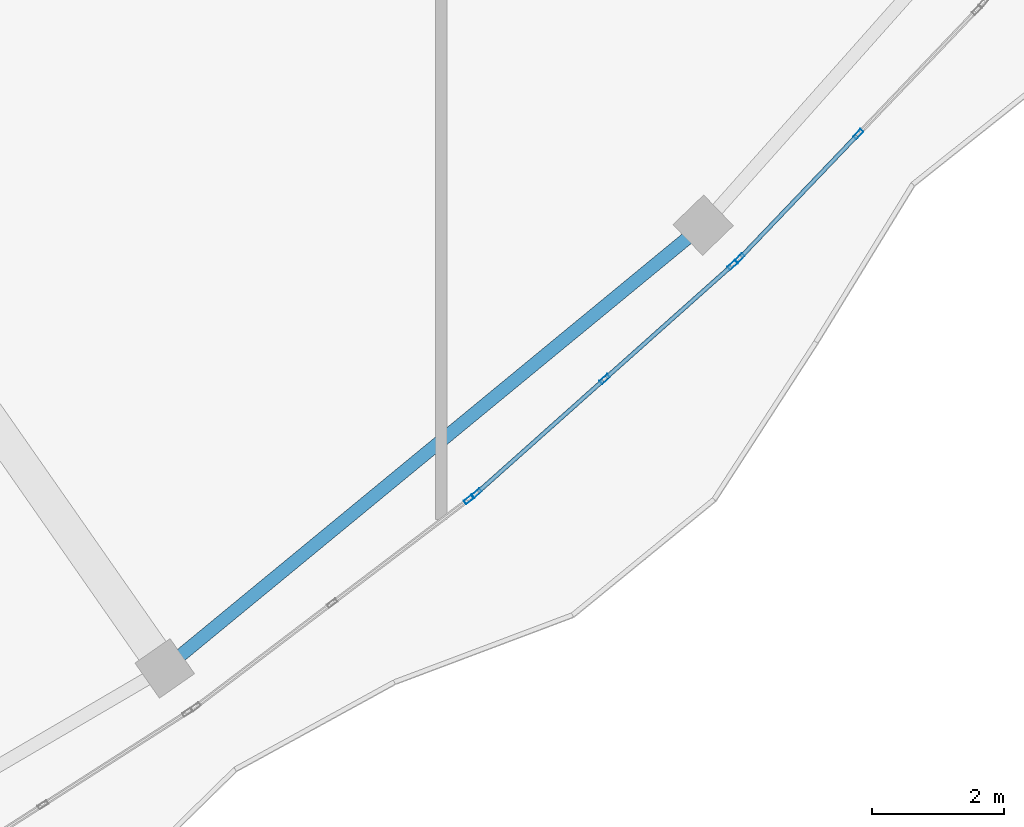
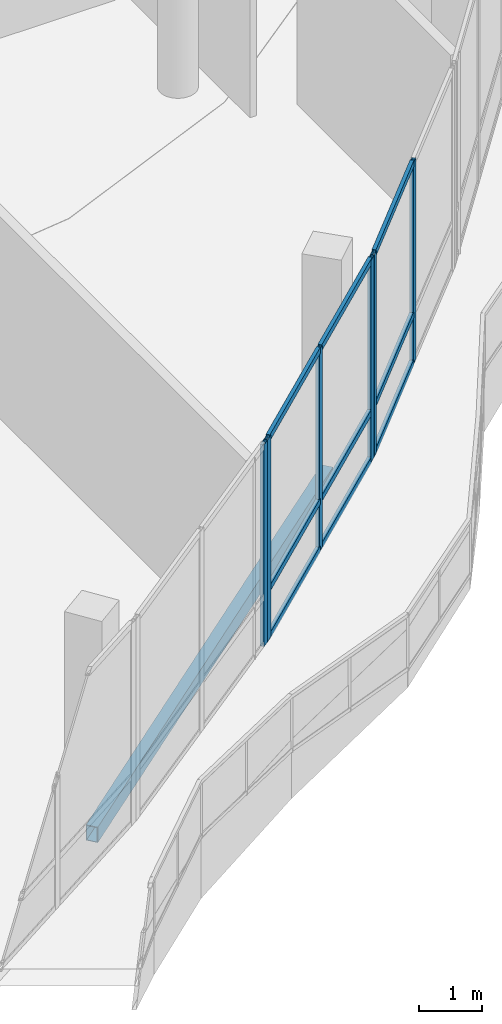
# One storey, part 50 of 184: 15 members, 1 beam, 3 elements without a shape of their own.
"""IFC4 building model written with IfcOpenShell, lengths in metres."""

from ifc_helpers import new_model, si_unit, direction, frame, origin, origin_2d, place, context, subcontext, project, spatial, hollow_rectangle, extrude, material, material_profile, profile_set, type_object, element, aggregate, save


model = new_model("IFC4")

# Units and contexts
model_context = context("Model", 3, precision=1e-05, world=origin(), true_north=direction((0.0, 1.0)))
body_context = subcontext(model_context, "Body", "Model", "MODEL_VIEW")
ifc_project = project(units=[si_unit("LENGTHUNIT", "METRE"), si_unit("AREAUNIT", "SQUARE_METRE"), si_unit("VOLUMEUNIT", "CUBIC_METRE"), si_unit("PLANEANGLEUNIT", "RADIAN"), si_unit("MASSUNIT", "GRAM", prefix="KILO")], contexts=[model_context])

# Site, building, storey
site_placement = place(None, origin())
site = spatial("IfcSite", under=ifc_project, at=site_placement, CompositionType="ELEMENT")
building_placement = place(site_placement, origin())
building = spatial("IfcBuilding", under=site, at=building_placement, Name="Selatvlak General Hospital", CompositionType="ELEMENT")
storey_placement = place(building_placement, frame((0.0, 0.0, 15.0)))
storey = spatial("IfcBuildingStorey", under=building, at=storey_placement, Name="L03", CompositionType="ELEMENT", Elevation=15.0)

# Beam
ifc_material_1 = material(Name="Steel S355", Category="steel")
ifc_material_profile_1 = material_profile(ifc_material_1, hollow_rectangle(XDim=0.199951171875, YDim=0.300048828125, WallThickness=0.011962890625, at=origin_2d()), Name="RHS 300x200x12")
ifc_profile_set_1 = profile_set([ifc_material_profile_1], Name="Steel S355")
beam_type = type_object("IfcBeamType", Name="BM-SP3", PredefinedType="SPANDREL", material=ifc_profile_set_1)
beam_placement = place(storey_placement, frame((94.195068359375, 24.757080078125, -0.489990234375), z_axis=(0.772071758835, 0.635535364248, 0.0), x_axis=(-0.635535364248, 0.772071758835, 0.0)))
element("IfcBeam", 1, at=beam_placement, inside=storey, type_object=beam_type, Name="Beam BMR-L03-1497", PredefinedType="SPANDREL", context=body_context, shape_type="SweptSolid", body=[
    extrude(hollow_rectangle(XDim=0.199951171875, YDim=0.300048828125, WallThickness=0.011962890625, at=origin_2d()), origin(), (0.0, 0.0, 1.0), 10.605224609375),
])

# Curtain wall, members
ifc_material_2 = material(Name="Solar-control Low-E double glazing", Category="glass")
curtain_wall_type_1 = type_object("IfcCurtainWallType", Name="CW-CW-01", PredefinedType="USERDEFINED", material=ifc_material_2)
curtain_wall_1_placement = place(storey_placement, origin())
curtain_wall_1 = element("IfcCurtainWall", 2, at=curtain_wall_1_placement, inside=storey, type_object=curtain_wall_type_1, Name="Glazed facade curtain wall CW-L03-0417", ObjectType="UNITISED CURTAIN WALL", PredefinedType="USERDEFINED")
ifc_material_3 = material(Name="Dark anodised aluminium mullion", Category="aluminium")
ifc_material_profile_2 = material_profile(ifc_material_3, hollow_rectangle(XDim=0.06494140625, YDim=0.159912109375, WallThickness=0.00390625, at=origin_2d()), Name="AL-MUL 65x160x4")
ifc_profile_set_2 = profile_set([ifc_material_profile_2], Name="Dark anodised aluminium mullion")
member_type_1 = type_object("IfcMemberType", Name="CWM-01", PredefinedType="MULLION", material=ifc_profile_set_2)
member_1_placement = place(storey_placement, frame((104.741455078125, 32.881103515625, 0.0), z_axis=(0.0, 0.0, 1.0), x_axis=(0.722908808256, -0.690943452785, 0.0)))
member_1 = element("IfcMember", 3, at=member_1_placement, type_object=member_type_1, Name="CW-01 mullion 2", PredefinedType="MULLION", context=body_context, shape_type="SweptSolid", body=[
    extrude(hollow_rectangle(XDim=0.06494140625, YDim=0.159912109375, WallThickness=0.00390625, at=origin_2d()), origin(), (0.0, 0.0, 1.0), 3.89501953125),
])
member_2_placement = place(storey_placement, frame((102.9375, 30.993408203125, 0.0), z_axis=(0.0, 0.0, 1.0), x_axis=(0.722908808256, -0.690943452785, 0.0)))
member_2 = element("IfcMember", 4, at=member_2_placement, type_object=member_type_1, Name="CW-01 mullion 3", PredefinedType="MULLION", context=body_context, shape_type="SweptSolid", body=[
    extrude(hollow_rectangle(XDim=0.06494140625, YDim=0.159912109375, WallThickness=0.00390625, at=origin_2d()), origin(), (0.0, 0.0, 1.0), 3.89501953125),
])

curtain_wall_type_2 = type_object("IfcCurtainWallType", Name="CW-CW-02", PredefinedType="USERDEFINED", material=ifc_material_2)
curtain_wall_2_placement = place(storey_placement, origin())
curtain_wall_2 = element("IfcCurtainWall", 5, at=curtain_wall_2_placement, inside=storey, type_object=curtain_wall_type_2, Name="Glazed facade curtain wall CW-L03-0418", ObjectType="UNITISED CURTAIN WALL", PredefinedType="USERDEFINED")
member_3_placement = place(storey_placement, frame((102.832763671875, 30.894287109375, 0.0), z_axis=(0.0, 0.0, 1.0), x_axis=(0.665560736735, -0.746343691417, 0.0)))
member_3 = element("IfcMember", 6, at=member_3_placement, type_object=member_type_1, Name="CW-02 mullion 1", PredefinedType="MULLION", context=body_context, shape_type="SweptSolid", body=[
    extrude(hollow_rectangle(XDim=0.06494140625, YDim=0.159912109375, WallThickness=0.00390625, at=origin_2d()), origin(), (0.0, 0.0, 1.0), 3.89501953125),
])
member_4_placement = place(storey_placement, frame((100.884521484375, 29.156982421875, 0.0), z_axis=(0.0, 0.0, 1.0), x_axis=(0.665560736735, -0.746343691417, 0.0)))
member_4 = element("IfcMember", 7, at=member_4_placement, type_object=member_type_1, Name="CW-02 mullion 2", PredefinedType="MULLION", context=body_context, shape_type="SweptSolid", body=[
    extrude(hollow_rectangle(XDim=0.06494140625, YDim=0.159912109375, WallThickness=0.00390625, at=origin_2d()), origin(), (0.0, 0.0, 1.0), 3.89501953125),
])
member_5_placement = place(storey_placement, frame((98.936279296875, 27.419677734375, 0.0), z_axis=(0.0, 0.0, 1.0), x_axis=(0.665560736735, -0.746343691417, 0.0)))
member_5 = element("IfcMember", 8, at=member_5_placement, type_object=member_type_1, Name="CW-02 mullion 3", PredefinedType="MULLION", context=body_context, shape_type="SweptSolid", body=[
    extrude(hollow_rectangle(XDim=0.06494140625, YDim=0.159912109375, WallThickness=0.00390625, at=origin_2d()), origin(), (0.0, 0.0, 1.0), 3.89501953125),
])

# Curtain wall, member
curtain_wall_3_placement = place(storey_placement, origin())
curtain_wall_3 = element("IfcCurtainWall", 9, at=curtain_wall_3_placement, inside=storey, type_object=curtain_wall_type_1, Name="Glazed facade curtain wall CW-L03-0419", ObjectType="UNITISED CURTAIN WALL", PredefinedType="USERDEFINED")
member_6_placement = place(storey_placement, frame((98.822998046875, 27.329345703125, 0.0), z_axis=(0.0, 0.0, 1.0), x_axis=(0.60458927489, -0.796537386874, 0.0)))
member_6 = element("IfcMember", 10, at=member_6_placement, type_object=member_type_1, Name="CW-01 mullion 1", PredefinedType="MULLION", context=body_context, shape_type="SweptSolid", body=[
    extrude(hollow_rectangle(XDim=0.06494140625, YDim=0.159912109375, WallThickness=0.00390625, at=origin_2d()), origin(), (0.0, 0.0, 1.0), 3.89501953125),
])
aggregate(curtain_wall_3, [member_6])

# Member
ifc_material_profile_3 = material_profile(ifc_material_3, hollow_rectangle(XDim=0.06494140625, YDim=0.1201171875, WallThickness=0.00390625, at=origin_2d()), Name="AL-TRN 65x120x4")
ifc_profile_set_3 = profile_set([ifc_material_profile_3], Name="Dark anodised aluminium mullion")
member_type_2 = type_object("IfcMemberType", Name="CWT-01", PredefinedType="USERDEFINED", material=ifc_profile_set_3)
member_7_placement = place(storey_placement, frame((104.718994140625, 32.857421875, 0.032470703125), z_axis=(-0.690959135507, -0.722893818661, 0.0), x_axis=(0.722893818661, -0.690959135507, 0.0)))
member_7 = element("IfcMember", 11, at=member_7_placement, type_object=member_type_2, Name="CW-01 transom 2.1", ObjectType="TRANSOM", PredefinedType="USERDEFINED", context=body_context, shape_type="SweptSolid", body=[
    extrude(hollow_rectangle(XDim=0.06494140625, YDim=0.1201171875, WallThickness=0.00390625, at=origin_2d()), origin(), (0.0, 0.0, 1.0), 2.5458984375),
])

member_8_placement = place(storey_placement, frame((104.718994140625, 32.857421875, 0.949951171875), z_axis=(-0.690959135507, -0.722893818661, 0.0), x_axis=(0.722893818661, -0.690959135507, 0.0)))
member_8 = element("IfcMember", 12, at=member_8_placement, type_object=member_type_2, Name="CW-01 transom 2.2", ObjectType="TRANSOM", PredefinedType="USERDEFINED", context=body_context, shape_type="SweptSolid", body=[
    extrude(hollow_rectangle(XDim=0.06494140625, YDim=0.1201171875, WallThickness=0.00390625, at=origin_2d()), origin(), (0.0, 0.0, 1.0), 2.5458984375),
])

member_9_placement = place(storey_placement, frame((104.718994140625, 32.857421875, 3.862548828125), z_axis=(-0.690959135507, -0.722893818661, 0.0), x_axis=(0.722893818661, -0.690959135507, 0.0)))
member_9 = element("IfcMember", 13, at=member_9_placement, type_object=member_type_2, Name="CW-01 transom 2.3", ObjectType="TRANSOM", PredefinedType="USERDEFINED", context=body_context, shape_type="SweptSolid", body=[
    extrude(hollow_rectangle(XDim=0.06494140625, YDim=0.1201171875, WallThickness=0.00390625, at=origin_2d()), origin(), (0.0, 0.0, 1.0), 2.5458984375),
])

aggregate(curtain_wall_1, [member_1, member_2, member_7, member_8, member_9])

member_10_placement = place(storey_placement, frame((102.80859375, 30.872802734375, 0.032470703125), z_axis=(-0.746376551061, -0.665523886894, 0.0), x_axis=(0.665523886894, -0.746376551061, 0.0)))
member_10 = element("IfcMember", 14, at=member_10_placement, type_object=member_type_2, Name="CW-02 transom 1.1", ObjectType="TRANSOM", PredefinedType="USERDEFINED", context=body_context, shape_type="SweptSolid", body=[
    extrude(hollow_rectangle(XDim=0.06494140625, YDim=0.1201171875, WallThickness=0.00390625, at=origin_2d()), origin(), (0.0, 0.0, 1.0), 2.54541015625),
])

member_11_placement = place(storey_placement, frame((102.80859375, 30.872802734375, 0.949951171875), z_axis=(-0.746376551061, -0.665523886894, 0.0), x_axis=(0.665523886894, -0.746376551061, 0.0)))
member_11 = element("IfcMember", 15, at=member_11_placement, type_object=member_type_2, Name="CW-02 transom 1.2", ObjectType="TRANSOM", PredefinedType="USERDEFINED", context=body_context, shape_type="SweptSolid", body=[
    extrude(hollow_rectangle(XDim=0.06494140625, YDim=0.1201171875, WallThickness=0.00390625, at=origin_2d()), origin(), (0.0, 0.0, 1.0), 2.54541015625),
])

member_12_placement = place(storey_placement, frame((102.80859375, 30.872802734375, 3.862548828125), z_axis=(-0.746376551061, -0.665523886894, 0.0), x_axis=(0.665523886894, -0.746376551061, 0.0)))
member_12 = element("IfcMember", 16, at=member_12_placement, type_object=member_type_2, Name="CW-02 transom 1.3", ObjectType="TRANSOM", PredefinedType="USERDEFINED", context=body_context, shape_type="SweptSolid", body=[
    extrude(hollow_rectangle(XDim=0.06494140625, YDim=0.1201171875, WallThickness=0.00390625, at=origin_2d()), origin(), (0.0, 0.0, 1.0), 2.54541015625),
])

member_13_placement = place(storey_placement, frame((100.8603515625, 29.13525390625, 0.032470703125), z_axis=(-0.746376551061, -0.665523886894, 0.0), x_axis=(0.665523886894, -0.746376551061, 0.0)))
member_13 = element("IfcMember", 17, at=member_13_placement, type_object=member_type_2, Name="CW-02 transom 2.1", ObjectType="TRANSOM", PredefinedType="USERDEFINED", context=body_context, shape_type="SweptSolid", body=[
    extrude(hollow_rectangle(XDim=0.06494140625, YDim=0.1201171875, WallThickness=0.00390625, at=origin_2d()), origin(), (0.0, 0.0, 1.0), 2.54541015625),
])

member_14_placement = place(storey_placement, frame((100.8603515625, 29.13525390625, 0.949951171875), z_axis=(-0.746376551061, -0.665523886894, 0.0), x_axis=(0.665523886894, -0.746376551061, 0.0)))
member_14 = element("IfcMember", 18, at=member_14_placement, type_object=member_type_2, Name="CW-02 transom 2.2", ObjectType="TRANSOM", PredefinedType="USERDEFINED", context=body_context, shape_type="SweptSolid", body=[
    extrude(hollow_rectangle(XDim=0.06494140625, YDim=0.1201171875, WallThickness=0.00390625, at=origin_2d()), origin(), (0.0, 0.0, 1.0), 2.54541015625),
])

member_15_placement = place(storey_placement, frame((100.8603515625, 29.13525390625, 3.862548828125), z_axis=(-0.746376551061, -0.665523886894, 0.0), x_axis=(0.665523886894, -0.746376551061, 0.0)))
member_15 = element("IfcMember", 19, at=member_15_placement, type_object=member_type_2, Name="CW-02 transom 2.3", ObjectType="TRANSOM", PredefinedType="USERDEFINED", context=body_context, shape_type="SweptSolid", body=[
    extrude(hollow_rectangle(XDim=0.06494140625, YDim=0.1201171875, WallThickness=0.00390625, at=origin_2d()), origin(), (0.0, 0.0, 1.0), 2.54541015625),
])

aggregate(curtain_wall_2, [member_3, member_4, member_5, member_10, member_11, member_12, member_13, member_14, member_15])

save(model, "model.ifc")
